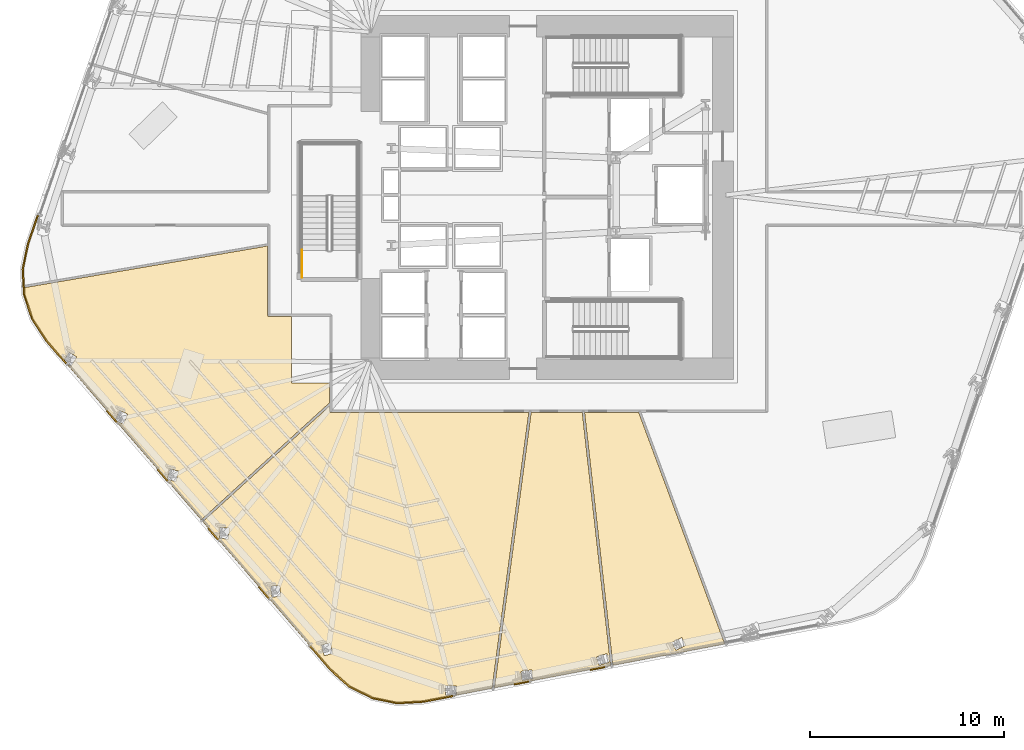
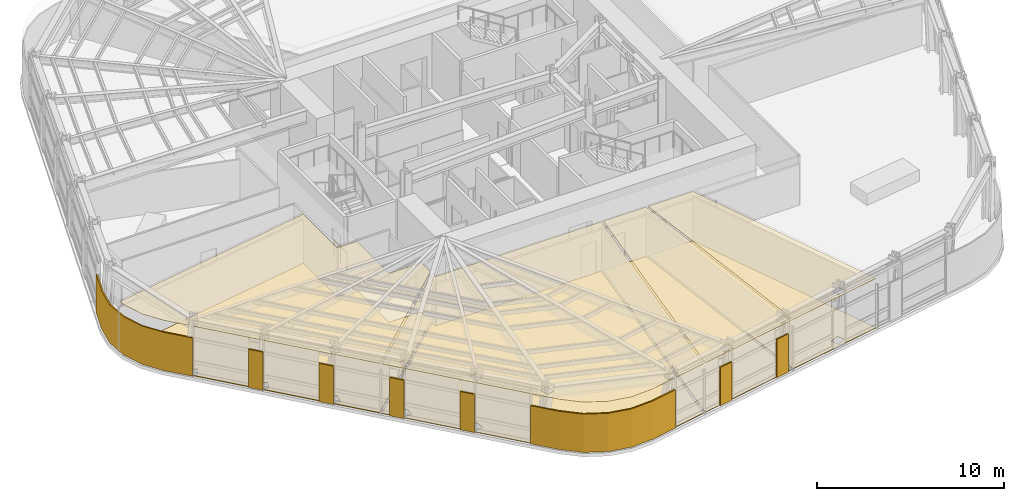
# One storey, part 12 of 18: 16 coverings, 1 railing.
"""IFC4 building model written with IfcOpenShell, lengths in metres."""

from ifc_helpers import new_model, si_unit, direction, frame, origin, origin_2d, place, context, subcontext, project, spatial, polyline, circle, outline, extrude, material, layer, layer_set, type_object, element, save


model = new_model("IFC4")

# Units and contexts
model_context = context("Model", 3, precision=1e-05, world=origin(), true_north=direction((0.0, 1.0)))
body_context = subcontext(model_context, "Body", "Model", "MODEL_VIEW")
ifc_project = project(units=[si_unit("LENGTHUNIT", "METRE"), si_unit("AREAUNIT", "SQUARE_METRE"), si_unit("VOLUMEUNIT", "CUBIC_METRE"), si_unit("PLANEANGLEUNIT", "RADIAN"), si_unit("MASSUNIT", "GRAM", prefix="KILO")], contexts=[model_context])

# Site, building, storey
site_placement = place(None, origin())
site = spatial("IfcSite", under=ifc_project, at=site_placement, CompositionType="ELEMENT")
building_placement = place(site_placement, origin())
building = spatial("IfcBuilding", under=site, at=building_placement, Name="Valkerne Bourse Tower", CompositionType="ELEMENT")
storey_placement = place(building_placement, frame((0.0, 0.0, 69.60009765625)))
storey = spatial("IfcBuildingStorey", under=building, at=storey_placement, Name="L17", CompositionType="ELEMENT", Elevation=69.60009765625)

# Coverings
ifc_material_1 = material(Name="Mineral Fiber Acoustic Ceiling Tile", Category="acoustic")
ifc_layer_1 = layer(ifc_material_1, 0.02490234375)
ifc_layer_set_1 = layer_set([ifc_layer_1], Name="Mineral Fiber Acoustic Ceiling Tile")
covering_type_1 = type_object("IfcCoveringType", Name="COV-CEIL-ACT", PredefinedType="CEILING", material=ifc_layer_set_1)
covering_1_placement = place(storey_placement, frame((0.0, 0.0, 3.22998046875)))
element("IfcCovering", 1, at=covering_1_placement, inside=storey, type_object=covering_type_1, Name="L17 Suspended Ceiling 03", PredefinedType="CEILING", context=body_context, shape_type="SweptSolid", body=[
    extrude(outline(polyline([(51.509521484375, 15.781005859375), (55.945556640625, 3.8525390625), (50.17919921875, 2.752685546875), (48.7177734375, 15.781005859375), (51.509521484375, 15.781005859375)]), holes=[polyline([(53.4345703125, 3.5283203125), (53.9287109375, 3.778564453125), (53.722900390625, 4.18701171875), (53.719482421875, 4.18603515625), (53.225341796875, 3.935791015625), (53.431396484375, 3.52734375), (53.4345703125, 3.5283203125)])]), origin(), (0.0, 0.0, 1.0), 0.02490234375),
])
covering_2_placement = place(storey_placement, frame((0.0, 0.0, 3.22998046875)))
element("IfcCovering", 2, at=covering_2_placement, inside=storey, type_object=covering_type_1, Name="L17 Suspended Ceiling 04", PredefinedType="CEILING", context=body_context, shape_type="SweptSolid", body=[
    extrude(outline(polyline([(48.59912109375, 15.781005859375), (50.06298828125, 2.73046875), (44.068603515625, 1.5869140625), (45.962646484375, 15.781005859375), (48.59912109375, 15.781005859375)]), holes=[polyline([(45.99169921875, 2.519775390625), (45.98828125, 2.52001953125), (45.43994140625, 2.44189453125), (45.50341796875, 1.98876953125), (45.507080078125, 1.98876953125), (46.055419921875, 2.066650390625), (45.99169921875, 2.519775390625)]), polyline([(49.467529296875, 2.7548828125), (49.99609375, 2.919921875), (49.860595703125, 3.35693359375), (49.857177734375, 3.3564453125), (49.328369140625, 3.19140625), (49.464111328125, 2.75439453125), (49.467529296875, 2.7548828125)])]), origin(), (0.0, 0.0, 1.0), 0.02490234375),
])
covering_3_placement = place(storey_placement, frame((0.0, 0.0, 3.22998046875)))
element("IfcCovering", 3, at=covering_3_placement, inside=storey, type_object=covering_type_1, Name="L17 Suspended Ceiling 06", PredefinedType="CEILING", context=body_context, shape_type="SweptSolid", body=[
    extrude(outline(polyline([(19.8359375, 21.856201171875), (19.81494140625, 22.219482421875), (32.381103515625, 24.369873046875), (32.381103515625, 20.79931640625), (32.398193359375, 20.754150390625), (32.4208984375, 20.7373046875), (32.44970703125, 20.73095703125), (33.60009765625, 20.73095703125), (33.60009765625, 17.300048828125), (35.5810546875, 17.300048828125), (35.5810546875, 16.295166015625), (28.957275390625, 10.2509765625), (24.551513671875, 15.35498046875), (24.951416015625, 15.195068359375), (25.160400390625, 15.70947265625), (25.15869140625, 15.712646484375), (24.735107421875, 15.882080078125), (24.53076171875, 15.37890625), (21.988525390625, 18.32421875), (22.247802734375, 18.17236328125), (22.531005859375, 18.64990234375), (22.52978515625, 18.653564453125), (22.13623046875, 18.884033203125), (21.87939453125, 18.45068359375), (20.97998046875, 19.49267578125), (20.250244140625, 20.603515625), (19.8359375, 21.856201171875)]), holes=[polyline([(27.7802734375, 12.768798828125), (27.7783203125, 12.771484375), (27.332763671875, 12.870849609375), (27.20947265625, 12.3291015625), (27.21142578125, 12.326416015625), (27.65673828125, 12.227294921875), (27.7802734375, 12.768798828125)])]), origin(), (0.0, 0.0, 1.0), 0.02490234375),
])
covering_4_placement = place(storey_placement, frame((0.0, 0.0, 3.22998046875)))
element("IfcCovering", 4, at=covering_4_placement, inside=storey, type_object=covering_type_1, Name="L17 Suspended Ceiling 08", PredefinedType="CEILING", context=body_context, shape_type="SweptSolid", body=[
    extrude(outline(polyline([(37.7724609375, 1.07666015625), (36.593505859375, 1.66943359375), (35.601318359375, 2.5537109375), (29.034423828125, 10.16162109375), (35.5810546875, 16.135498046875), (35.581787109375, 15.839111328125), (35.60400390625, 15.79833984375), (35.646484375, 15.781005859375), (45.843505859375, 15.781005859375), (43.946533203125, 1.563720703125), (40.3916015625, 0.885498046875), (39.064697265625, 0.80908203125), (37.7724609375, 1.07666015625)]), holes=[polyline([(35.60205078125, 3.906494140625), (35.5986328125, 3.908203125), (35.15771484375, 3.791748046875), (35.296142578125, 3.254150390625), (35.299560546875, 3.25244140625), (35.740478515625, 3.368896484375), (35.60205078125, 3.906494140625)]), polyline([(32.997314453125, 6.86962890625), (32.994384765625, 6.871826171875), (32.540771484375, 6.822509765625), (32.597900390625, 6.27001953125), (32.600830078125, 6.26806640625), (33.054443359375, 6.3173828125), (32.997314453125, 6.86962890625)]), polyline([(30.3916015625, 9.8232421875), (30.388916015625, 9.82568359375), (29.933349609375, 9.85009765625), (29.90087890625, 9.295654296875), (29.903564453125, 9.293212890625), (30.359130859375, 9.268798828125), (30.3916015625, 9.8232421875)]), polyline([(42.11376953125, 1.67919921875), (42.110107421875, 1.679931640625), (41.556396484375, 1.68408203125), (41.552001953125, 1.226806640625), (41.5556640625, 1.22607421875), (42.109130859375, 1.2216796875), (42.11376953125, 1.67919921875)])]), origin(), (0.0, 0.0, 1.0), 0.02490234375),
])
ifc_material_2 = material(Name="Bronze Anodised Aluminium AA 6063-T6", Category="aluminium")
ifc_layer_2 = layer(ifc_material_2, 0.06005859375)
ifc_layer_set_2 = layer_set([ifc_layer_2], Name="Bronze Anodised Aluminium AA 6063-T6")
covering_type_2 = type_object("IfcCoveringType", Name="COV-CRN-ALUM", PredefinedType="CLADDING", material=ifc_layer_set_2)
covering_5_placement = place(storey_placement, origin())
element("IfcCovering", 5, at=covering_5_placement, inside=storey, type_object=covering_type_2, Name="L17 Wind-Shaped Corner Aluminium Cladding 09", PredefinedType="CLADDING", context=body_context, shape_type="SweptSolid", body=[
    extrude(outline(polyline([(49.014892578125, 2.485595703125), (48.999755859375, 2.564208984375), (49.824951171875, 2.7216796875), (49.83984375, 2.64306640625), (49.014892578125, 2.485595703125)])), origin(), (0.0, 0.0, 1.0), 2.5),
])
covering_6_placement = place(storey_placement, origin())
element("IfcCovering", 6, at=covering_6_placement, inside=storey, type_object=covering_type_2, Name="L17 Wind-Shaped Corner Aluminium Cladding 10", PredefinedType="CLADDING", context=body_context, shape_type="SweptSolid", body=[
    extrude(outline(polyline([(45.089599609375, 1.73681640625), (45.074462890625, 1.8154296875), (45.899658203125, 1.972900390625), (45.914794921875, 1.894287109375), (45.089599609375, 1.73681640625)])), origin(), (0.0, 0.0, 1.0), 2.5),
])
covering_7_placement = place(storey_placement, origin())
element("IfcCovering", 7, at=covering_7_placement, inside=storey, type_object=covering_type_2, Name="L17 Wind-Shaped Corner Aluminium Cladding 11", PredefinedType="CLADDING", context=body_context, shape_type="SweptSolid", body=[
    extrude(outline(polyline([(40.39697265625, 0.841796875), (39.061279296875, 0.7646484375), (37.7578125, 1.03466796875), (36.568603515625, 1.6328125), (35.56982421875, 2.522705078125), (34.510498046875, 3.75), (34.571044921875, 3.80224609375), (35.627197265625, 2.578857421875), (36.614013671875, 1.699462890625), (37.784423828125, 1.11083984375), (39.0673828125, 0.84521484375), (40.38720703125, 0.92138671875), (41.974365234375, 1.22412109375), (41.989501953125, 1.1455078125), (40.39697265625, 0.841796875)])), origin(), (0.0, 0.0, 1.0), 2.5),
])
covering_8_placement = place(storey_placement, origin())
element("IfcCovering", 8, at=covering_8_placement, inside=storey, type_object=covering_type_2, Name="L17 Wind-Shaped Corner Aluminium Cladding 12", PredefinedType="CLADDING", context=body_context, shape_type="SweptSolid", body=[
    extrude(outline(polyline([(31.8994140625, 6.77490234375), (31.960205078125, 6.8271484375), (32.509033203125, 6.19140625), (32.448486328125, 6.138916015625), (31.8994140625, 6.77490234375)])), origin(), (0.0, 0.0, 1.0), 2.5),
])
covering_9_placement = place(storey_placement, origin())
element("IfcCovering", 9, at=covering_9_placement, inside=storey, type_object=covering_type_2, Name="L17 Wind-Shaped Corner Aluminium Cladding 13", PredefinedType="CLADDING", context=body_context, shape_type="SweptSolid", body=[
    extrude(outline(polyline([(29.288330078125, 9.7998046875), (29.34912109375, 9.85205078125), (29.897705078125, 9.21630859375), (29.83740234375, 9.1640625), (29.288330078125, 9.7998046875)])), origin(), (0.0, 0.0, 1.0), 2.5),
])
covering_10_placement = place(storey_placement, origin())
element("IfcCovering", 10, at=covering_10_placement, inside=storey, type_object=covering_type_2, Name="L17 Wind-Shaped Corner Aluminium Cladding 14", PredefinedType="CLADDING", context=body_context, shape_type="SweptSolid", body=[
    extrude(outline(polyline([(26.677490234375, 12.82470703125), (26.73779296875, 12.877197265625), (27.286865234375, 12.2412109375), (27.226318359375, 12.18896484375), (26.677490234375, 12.82470703125)])), origin(), (0.0, 0.0, 1.0), 2.5),
])
covering_11_placement = place(storey_placement, origin())
element("IfcCovering", 11, at=covering_11_placement, inside=storey, type_object=covering_type_2, Name="L17 Wind-Shaped Corner Aluminium Cladding 15", PredefinedType="CLADDING", context=body_context, shape_type="SweptSolid", body=[
    extrude(outline(polyline([(24.06640625, 15.849853515625), (24.126708984375, 15.902099609375), (24.67578125, 15.26611328125), (24.615234375, 15.2138671875), (24.06640625, 15.849853515625)])), origin(), (0.0, 0.0, 1.0), 2.5),
])
covering_12_placement = place(storey_placement, origin())
element("IfcCovering", 12, at=covering_12_placement, inside=storey, type_object=covering_type_2, Name="L17 Wind-Shaped Corner Aluminium Cladding 16", PredefinedType="CLADDING", context=body_context, shape_type="SweptSolid", body=[
    extrude(outline(polyline([(20.94482421875, 19.466064453125), (20.210205078125, 20.584228515625), (19.792236328125, 21.847900390625), (19.7158203125, 23.177001953125), (19.987060546875, 24.48681640625), (20.520263671875, 26.01806640625), (20.595703125, 25.99169921875), (20.064208984375, 24.465576171875), (19.796142578125, 23.1708984375), (19.87158203125, 21.863037109375), (20.282958984375, 20.619384765625), (21.0087890625, 19.514404296875), (22.064697265625, 18.291015625), (22.004150390625, 18.23876953125), (20.94482421875, 19.466064453125)])), origin(), (0.0, 0.0, 1.0), 2.5),
])
ifc_material_3 = material(Name="Galvanised Painted Steel", Category="steel")
ifc_layer_3 = layer(ifc_material_3, 0.044921875)
ifc_layer_set_3 = layer_set([ifc_layer_3], Name="Galvanised Painted Steel")
covering_type_3 = type_object("IfcCoveringType", Name="COV-FLR-RAF", PredefinedType="FLOORING", material=ifc_layer_set_3)
covering_13_placement = place(storey_placement, origin())
element("IfcCovering", 13, at=covering_13_placement, inside=storey, type_object=covering_type_3, Name="L17 Floor Finish 06", PredefinedType="FLOORING", context=body_context, shape_type="SweptSolid", body=[
    extrude(outline(polyline([(19.8359375, 21.856201171875), (19.81494140625, 22.219482421875), (32.381103515625, 24.369873046875), (32.381103515625, 20.79931640625), (32.398193359375, 20.754150390625), (32.4208984375, 20.7373046875), (32.44970703125, 20.73095703125), (33.60009765625, 20.73095703125), (33.60009765625, 17.300048828125), (35.5810546875, 17.300048828125), (35.5810546875, 16.295166015625), (28.957275390625, 10.2509765625), (24.551513671875, 15.35498046875), (24.951416015625, 15.195068359375), (25.160400390625, 15.70947265625), (25.15869140625, 15.712646484375), (24.735107421875, 15.882080078125), (24.53076171875, 15.37890625), (21.988525390625, 18.32421875), (22.247802734375, 18.17236328125), (22.531005859375, 18.64990234375), (22.52978515625, 18.653564453125), (22.13623046875, 18.884033203125), (21.87939453125, 18.45068359375), (20.97998046875, 19.49267578125), (20.250244140625, 20.603515625), (19.8359375, 21.856201171875)]), holes=[polyline([(27.7802734375, 12.768798828125), (27.7783203125, 12.771484375), (27.332763671875, 12.870849609375), (27.20947265625, 12.3291015625), (27.21142578125, 12.326416015625), (27.65673828125, 12.227294921875), (27.7802734375, 12.768798828125)])]), origin(), (0.0, 0.0, 1.0), 0.044921875),
])
ifc_material_4 = material(Name="Polished Granite Stone", Category="masonry")
ifc_layer_4 = layer(ifc_material_4, 0.030029296875)
ifc_layer_set_4 = layer_set([ifc_layer_4], Name="Polished Granite Stone")
covering_type_4 = type_object("IfcCoveringType", Name="COV-FLR-TERRAZZO", PredefinedType="FLOORING", material=ifc_layer_set_4)
covering_14_placement = place(storey_placement, origin())
element("IfcCovering", 14, at=covering_14_placement, inside=storey, type_object=covering_type_4, Name="L17 Floor Finish 03", PredefinedType="FLOORING", context=body_context, shape_type="SweptSolid", body=[
    extrude(outline(polyline([(51.509521484375, 15.781005859375), (55.945556640625, 3.8525390625), (50.17919921875, 2.752685546875), (48.7177734375, 15.781005859375), (51.509521484375, 15.781005859375)]), holes=[polyline([(53.4345703125, 3.5283203125), (53.9287109375, 3.778564453125), (53.722900390625, 4.18701171875), (53.719482421875, 4.18603515625), (53.225341796875, 3.935791015625), (53.431396484375, 3.52734375), (53.4345703125, 3.5283203125)])]), origin(), (0.0, 0.0, 1.0), 0.02978515625),
])
covering_15_placement = place(storey_placement, origin())
element("IfcCovering", 15, at=covering_15_placement, inside=storey, type_object=covering_type_4, Name="L17 Floor Finish 04", PredefinedType="FLOORING", context=body_context, shape_type="SweptSolid", body=[
    extrude(outline(polyline([(48.59912109375, 15.781005859375), (50.06298828125, 2.73046875), (44.068603515625, 1.5869140625), (45.962646484375, 15.781005859375), (48.59912109375, 15.781005859375)]), holes=[polyline([(45.99169921875, 2.519775390625), (45.98828125, 2.52001953125), (45.43994140625, 2.44189453125), (45.50341796875, 1.98876953125), (45.507080078125, 1.98876953125), (46.055419921875, 2.066650390625), (45.99169921875, 2.519775390625)]), polyline([(49.467529296875, 2.7548828125), (49.99609375, 2.919921875), (49.860595703125, 3.35693359375), (49.857177734375, 3.3564453125), (49.328369140625, 3.19140625), (49.464111328125, 2.75439453125), (49.467529296875, 2.7548828125)])]), origin(), (0.0, 0.0, 1.0), 0.02978515625),
])
covering_16_placement = place(storey_placement, origin())
element("IfcCovering", 16, at=covering_16_placement, inside=storey, type_object=covering_type_4, Name="L17 Floor Finish 08", PredefinedType="FLOORING", context=body_context, shape_type="SweptSolid", body=[
    extrude(outline(polyline([(37.7724609375, 1.07666015625), (36.593505859375, 1.66943359375), (35.601318359375, 2.5537109375), (29.034423828125, 10.16162109375), (35.5810546875, 16.135498046875), (35.581787109375, 15.839111328125), (35.60400390625, 15.79833984375), (35.646484375, 15.781005859375), (45.843505859375, 15.781005859375), (43.946533203125, 1.563720703125), (40.3916015625, 0.885498046875), (39.064697265625, 0.80908203125), (37.7724609375, 1.07666015625)]), holes=[polyline([(35.60205078125, 3.906494140625), (35.5986328125, 3.908203125), (35.15771484375, 3.791748046875), (35.296142578125, 3.254150390625), (35.299560546875, 3.25244140625), (35.740478515625, 3.368896484375), (35.60205078125, 3.906494140625)]), polyline([(32.997314453125, 6.86962890625), (32.994384765625, 6.871826171875), (32.540771484375, 6.822509765625), (32.597900390625, 6.27001953125), (32.600830078125, 6.26806640625), (33.054443359375, 6.3173828125), (32.997314453125, 6.86962890625)]), polyline([(30.3916015625, 9.8232421875), (30.388916015625, 9.82568359375), (29.933349609375, 9.85009765625), (29.90087890625, 9.295654296875), (29.903564453125, 9.293212890625), (30.359130859375, 9.268798828125), (30.3916015625, 9.8232421875)]), polyline([(42.11376953125, 1.67919921875), (42.110107421875, 1.679931640625), (41.556396484375, 1.68408203125), (41.552001953125, 1.226806640625), (41.5556640625, 1.22607421875), (42.109130859375, 1.2216796875), (42.11376953125, 1.67919921875)])]), origin(), (0.0, 0.0, 1.0), 0.02978515625),
])

# Railing
railing_type = type_object("IfcRailingType", Name="RLG-ST-GUARD-1120", PredefinedType="GUARDRAIL", material=ifc_material_3)
railing_placement = place(storey_placement, frame((34.14990234375, 22.75, 0.0)))
element("IfcRailing", 17, at=railing_placement, inside=storey, type_object=railing_type, Name="L17 ST-3 stair guard 9", PredefinedType="GUARDRAIL", context=body_context, shape_type="SweptSolid", body=[
    extrude(circle(Radius=0.02392578125, at=origin_2d()), frame((0.0, 0.0, 1.09619140625), z_axis=(0.0, 1.0, 0.0), x_axis=(-1.0, 0.0, 0.0)), (0.0, 0.0, 1.0), 1.39990234375),
    extrude(circle(Radius=0.02099609375, at=origin_2d()), origin(), (0.0, 0.0, 1.0), 1.072021484375),
    extrude(circle(Radius=0.02099609375, at=origin_2d()), frame((0.0, 0.699951171875, 0.0)), (0.0, 0.0, 1.0), 1.072021484375),
    extrude(circle(Radius=0.02099609375, at=origin_2d()), frame((0.0, 1.39990234375, 0.0)), (0.0, 0.0, 1.0), 1.072021484375),
])

save(model, "model.ifc")
